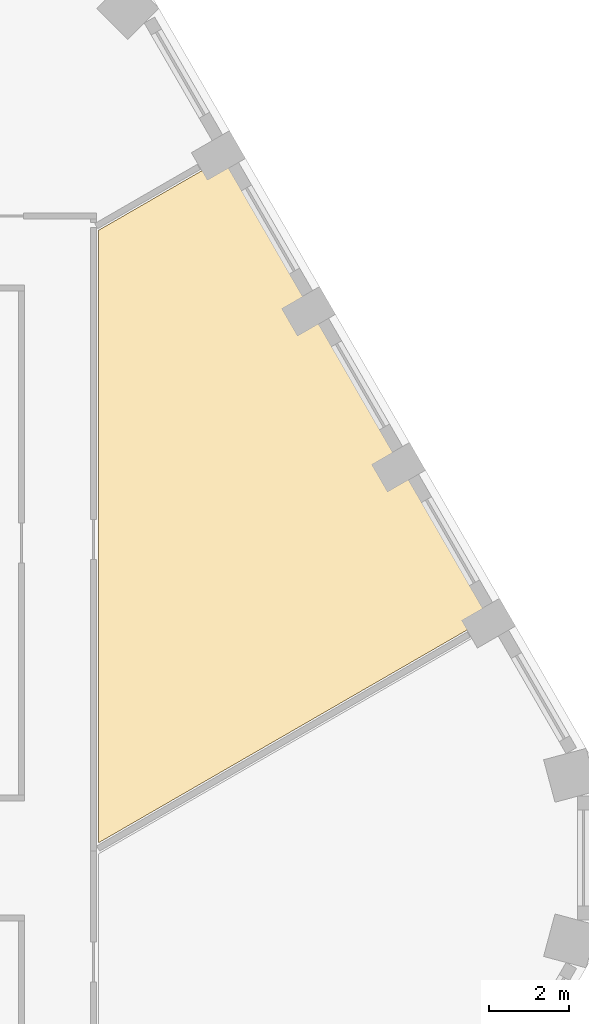
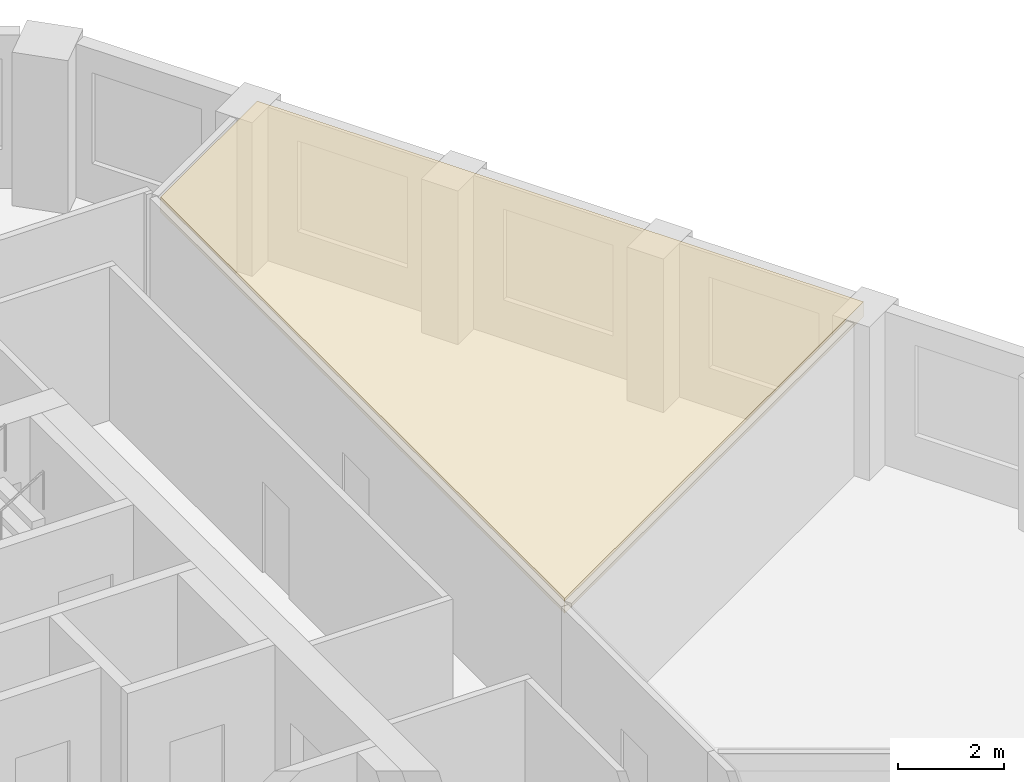
# One storey, part 13 of 13: 1 covering.
"""IFC4 building model written with IfcOpenShell, lengths in metres."""

from ifc_helpers import new_model, si_unit, direction, frame, origin, place, context, subcontext, project, spatial, polyline, outline, extrude, material, layer, layer_set, type_object, element, save


model = new_model("IFC4")

# Units and contexts
model_context = context("Model", 3, precision=1e-05, world=origin(), true_north=direction((0.0, 1.0)))
body_context = subcontext(model_context, "Body", "Model", "MODEL_VIEW")
ifc_project = project(units=[si_unit("LENGTHUNIT", "METRE"), si_unit("AREAUNIT", "SQUARE_METRE"), si_unit("VOLUMEUNIT", "CUBIC_METRE"), si_unit("PLANEANGLEUNIT", "RADIAN"), si_unit("MASSUNIT", "GRAM", prefix="KILO")], contexts=[model_context])

# Site, building, storey
site_placement = place(None, origin())
site = spatial("IfcSite", under=ifc_project, at=site_placement, CompositionType="ELEMENT")
building_placement = place(site_placement, origin())
building = spatial("IfcBuilding", under=site, at=building_placement, Name="Dhurran Vertical Campus", CompositionType="ELEMENT")
storey_placement = place(building_placement, frame((0.0, 0.0, 187.800048828125)))
storey = spatial("IfcBuildingStorey", under=building, at=storey_placement, Name="L46", CompositionType="ELEMENT", Elevation=187.800048828125)

# Covering
ifc_material = material(Name="Mineral fibre ceiling tiles on suspended grid")
ifc_layer = layer(ifc_material, 0.35009765625)
ifc_layer_set = layer_set([ifc_layer], Name="Mineral fibre ceiling tiles on suspended grid")
covering_type = type_object("IfcCoveringType", Name="fl-CE-350 suspended ceiling", PredefinedType="CEILING", material=ifc_layer_set)
covering_placement = place(storey_placement, frame((0.0, 0.0, 3.199951171875)))
element("IfcCovering", 1, at=covering_placement, inside=storey, type_object=covering_type, Name="Ceiling 46-30", PredefinedType="CEILING", context=body_context, shape_type="SweptSolid", body=[
    extrude(outline(polyline([(21.593017578125, 17.52392578125), (28.222900390625, 6.041015625), (18.419921875, 0.381103515625), (18.419921875, 15.693115234375), (21.593017578125, 17.52392578125)])), origin(), (0.0, 0.0, 1.0), 0.35009765625),
])

save(model, "model.ifc")
